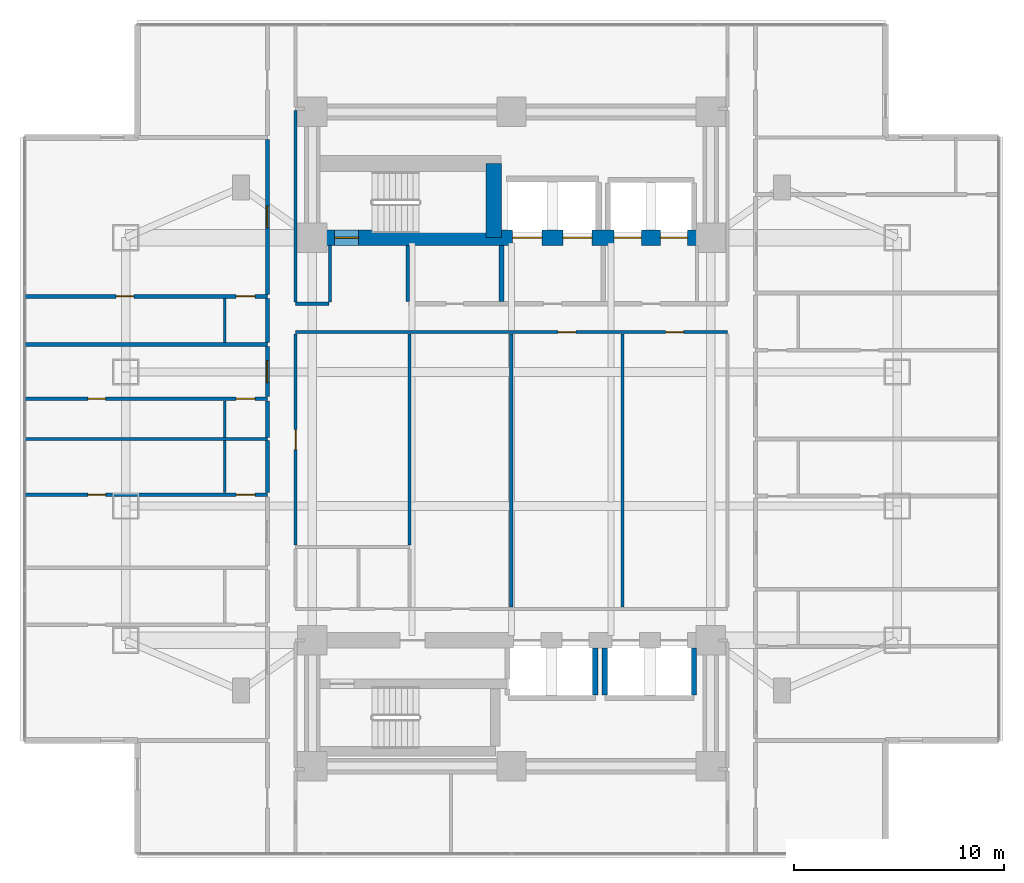
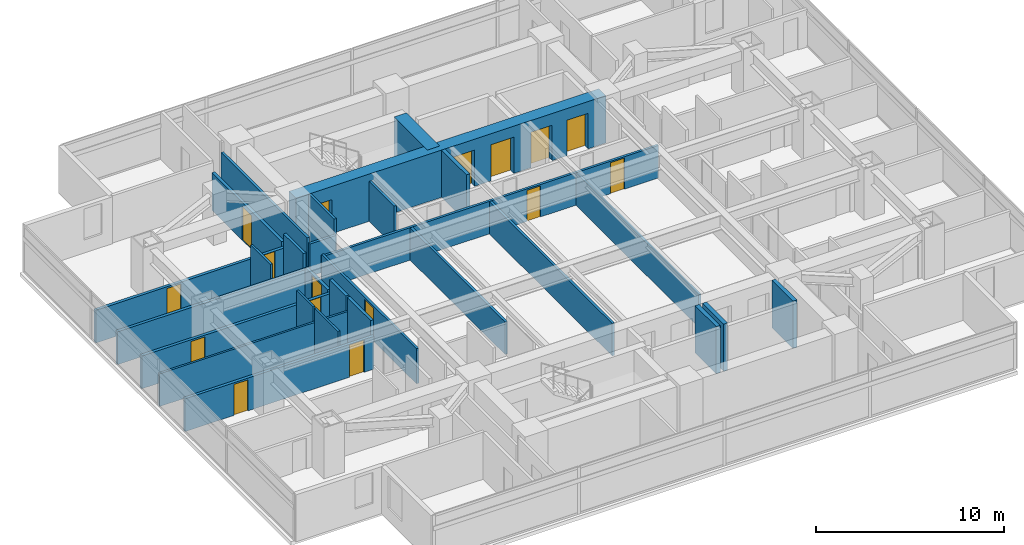
# One storey, part 15 of 26: 28 walls, 16 doors, 16 openings.
"""IFC4 building model written with IfcOpenShell, lengths in metres."""

from ifc_helpers import new_model, si_unit, direction, frame, frame_2d, origin, place, context, subcontext, project, spatial, rectangle, extrude, material, layer, layer_set, type_object, element, fill, save


model = new_model("IFC4")

# Units and contexts
model_context = context("Model", 3, precision=1e-05, world=origin(), true_north=direction((0.0, 1.0)))
body_context = subcontext(model_context, "Body", "Model", "MODEL_VIEW")
ifc_project = project(units=[si_unit("LENGTHUNIT", "METRE"), si_unit("AREAUNIT", "SQUARE_METRE"), si_unit("VOLUMEUNIT", "CUBIC_METRE"), si_unit("PLANEANGLEUNIT", "RADIAN"), si_unit("MASSUNIT", "GRAM", prefix="KILO")], contexts=[model_context])

# Site, building, storey
site_placement = place(None, origin())
site = spatial("IfcSite", under=ifc_project, at=site_placement, CompositionType="ELEMENT")
building_placement = place(site_placement, origin())
building = spatial("IfcBuilding", under=site, at=building_placement, Name="Mirazonda Arch Towers", CompositionType="ELEMENT")
storey_placement = place(building_placement, frame((0.0, 0.0, 48.800048828125)))
storey = spatial("IfcBuildingStorey", under=building, at=storey_placement, Name="L13", CompositionType="ELEMENT", Elevation=48.800048828125)

# Wall, openings, doors
ifc_material_1 = material(Name="Concrete C60/75", Category="concrete")
ifc_layer_1 = layer(ifc_material_1, 0.75, Name="WALL-CORE-750")
ifc_layer_set_1 = layer_set([ifc_layer_1], Name="Concrete C60/75")
wall_type_1 = type_object("IfcWallType", Name="WALL-CORE-750", PredefinedType="SHEAR", material=ifc_layer_set_1)
wall_1_placement = place(storey_placement, frame((11.0, 37.60009765625, 0.0), z_axis=(0.0, 0.0, 1.0), x_axis=(1.0, 0.0, 0.0)))
wall_1 = element("IfcWall", 1, at=wall_1_placement, inside=storey, type_object=wall_type_1, Name="L13 T1N-S Core Shear Wall", PredefinedType="SHEAR", context=body_context, shape_type="SweptSolid", body=[
    extrude(rectangle(XDim=19.0, YDim=0.75, at=frame_2d((9.5, 0.0))), origin(), (0.0, 0.0, 1.0), 3.06005859375),
])
opening_1_placement = place(wall_1_placement, frame((1.06005859375, 0.0, 0.0)))
opening_1 = element("IfcOpeningElement", 2, at=opening_1_placement, cuts=wall_1, Name="Opening DR-135", PredefinedType="OPENING", context=body_context, shape_type="SweptSolid", body=[
    extrude(rectangle(XDim=1.14990234375, YDim=2.199951171875, at=frame_2d((0.574951171875, 1.10009765625))), frame((0.0, 0.385009765625, 0.0), z_axis=(0.0, -1.0, 0.0), x_axis=(1.0, 0.0, 0.0)), (0.0, 0.0, 1.0), 0.77001953125),
])
opening_2_placement = place(wall_1_placement, frame((9.550048828125, 0.0, 0.0)))
opening_2 = element("IfcOpeningElement", 3, at=opening_2_placement, cuts=wall_1, Name="Opening LD-112", PredefinedType="OPENING", context=body_context, shape_type="SweptSolid", body=[
    extrude(rectangle(XDim=1.39990234375, YDim=2.35009765625, at=frame_2d((0.699951171875, 1.175048828125))), frame((0.0, 0.385009765625, 0.0), z_axis=(0.0, -1.0, 0.0), x_axis=(1.0, 0.0, 0.0)), (0.0, 0.0, 1.0), 0.77001953125),
])
opening_3_placement = place(wall_1_placement, frame((11.949951171875, 0.0, 0.0)))
opening_3 = element("IfcOpeningElement", 4, at=opening_3_placement, cuts=wall_1, Name="Opening LD-112", PredefinedType="OPENING", context=body_context, shape_type="SweptSolid", body=[
    extrude(rectangle(XDim=1.39990234375, YDim=2.35009765625, at=frame_2d((0.699951171875, 1.175048828125))), frame((0.0, 0.385009765625, 0.0), z_axis=(0.0, -1.0, 0.0), x_axis=(1.0, 0.0, 0.0)), (0.0, 0.0, 1.0), 0.77001953125),
])
opening_4_placement = place(wall_1_placement, frame((14.39990234375, 0.0, 0.0)))
opening_4 = element("IfcOpeningElement", 5, at=opening_4_placement, cuts=wall_1, Name="Opening LD-111", PredefinedType="OPENING", context=body_context, shape_type="SweptSolid", body=[
    extrude(rectangle(XDim=1.300048828125, YDim=2.300048828125, at=frame_2d((0.64990234375, 1.14990234375))), frame((0.0, 0.385009765625, 0.0), z_axis=(0.0, -1.0, 0.0), x_axis=(1.0, 0.0, 0.0)), (0.0, 0.0, 1.0), 0.77001953125),
])
opening_5_placement = place(wall_1_placement, frame((16.60009765625, 0.0, 0.0)))
opening_5 = element("IfcOpeningElement", 6, at=opening_5_placement, cuts=wall_1, Name="Opening LD-111", PredefinedType="OPENING", context=body_context, shape_type="SweptSolid", body=[
    extrude(rectangle(XDim=1.300048828125, YDim=2.300048828125, at=frame_2d((0.64990234375, 1.14990234375))), frame((0.0, 0.385009765625, 0.0), z_axis=(0.0, -1.0, 0.0), x_axis=(1.0, 0.0, 0.0)), (0.0, 0.0, 1.0), 0.77001953125),
])
ifc_material_2 = material(Name="Architectural Brushed Steel S355", Category="steel")
door_type_1 = type_object("IfcDoorType", Name="DOOR-LIFT-FFL-1400", OperationType="NOTDEFINED", PredefinedType="DOOR", material=ifc_material_2)
door_1_placement = place(opening_2_placement, origin())
door_1 = element("IfcDoor", 7, at=door_1_placement, inside=storey, type_object=door_type_1, Name="L13 Lift Landing Sliding Door FFL-T1", OperationType="DOUBLE_DOOR_SLIDING", OverallHeight=2.35009765625, OverallWidth=1.39990234375, PredefinedType="DOOR", context=body_context, shape_type="SweptSolid", body=[
    extrude(rectangle(XDim=1.39990234375, YDim=2.35009765625, at=frame_2d((0.699951171875, 1.175048828125))), frame((0.0, 0.02490234375, 0.0), z_axis=(0.0, -1.0, 0.0), x_axis=(1.0, 0.0, 0.0)), (0.0, 0.0, 1.0), 0.050048828125),
])
fill(opening_2, door_1)
door_2_placement = place(opening_3_placement, origin())
door_2 = element("IfcDoor", 8, at=door_2_placement, inside=storey, type_object=door_type_1, Name="L13 Lift Landing Sliding Door SVL-T1", OperationType="DOUBLE_DOOR_SLIDING", OverallHeight=2.35009765625, OverallWidth=1.39990234375, PredefinedType="DOOR", context=body_context, shape_type="SweptSolid", body=[
    extrude(rectangle(XDim=1.39990234375, YDim=2.35009765625, at=frame_2d((0.699951171875, 1.175048828125))), frame((0.0, 0.02490234375, 0.0), z_axis=(0.0, -1.0, 0.0), x_axis=(1.0, 0.0, 0.0)), (0.0, 0.0, 1.0), 0.050048828125),
])
fill(opening_3, door_2)
door_type_2 = type_object("IfcDoorType", Name="DOOR-LIFT-LAND-1300", OperationType="NOTDEFINED", PredefinedType="DOOR", material=ifc_material_2)
door_3_placement = place(opening_4_placement, origin())
door_3 = element("IfcDoor", 9, at=door_3_placement, inside=storey, type_object=door_type_2, Name="L13 Lift Landing Sliding Door PL-T1L1", OperationType="DOUBLE_DOOR_SLIDING", OverallHeight=2.300048828125, OverallWidth=1.300048828125, PredefinedType="DOOR", context=body_context, shape_type="SweptSolid", body=[
    extrude(rectangle(XDim=1.300048828125, YDim=2.300048828125, at=frame_2d((0.64990234375, 1.14990234375))), frame((0.0, 0.02490234375, 0.0), z_axis=(0.0, -1.0, 0.0), x_axis=(1.0, 0.0, 0.0)), (0.0, 0.0, 1.0), 0.050048828125),
])
fill(opening_4, door_3)
door_4_placement = place(opening_5_placement, origin())
door_4 = element("IfcDoor", 10, at=door_4_placement, inside=storey, type_object=door_type_2, Name="L13 Lift Landing Sliding Door PL-T1L2", OperationType="DOUBLE_DOOR_SLIDING", OverallHeight=2.300048828125, OverallWidth=1.300048828125, PredefinedType="DOOR", context=body_context, shape_type="SweptSolid", body=[
    extrude(rectangle(XDim=1.300048828125, YDim=2.300048828125, at=frame_2d((0.64990234375, 1.14990234375))), frame((0.0, 0.02490234375, 0.0), z_axis=(0.0, -1.0, 0.0), x_axis=(1.0, 0.0, 0.0)), (0.0, 0.0, 1.0), 0.050048828125),
])
fill(opening_5, door_4)
door_type_3 = type_object("IfcDoorType", Name="DOOR-STAIR-FD90-1150", OperationType="NOTDEFINED", PredefinedType="DOOR", material=ifc_material_2)
door_5_placement = place(opening_1_placement, origin())
door_5 = element("IfcDoor", 11, at=door_5_placement, inside=storey, type_object=door_type_3, Name="L13 Protected Exit Stair North Door", OperationType="SINGLE_SWING_LEFT", OverallHeight=2.199951171875, OverallWidth=1.14990234375, PredefinedType="DOOR", context=body_context, shape_type="SweptSolid", body=[
    extrude(rectangle(XDim=1.14990234375, YDim=2.199951171875, at=frame_2d((0.574951171875, 1.10009765625))), frame((0.0, 0.02490234375, 0.0), z_axis=(0.0, -1.0, 0.0), x_axis=(1.0, 0.0, 0.0)), (0.0, 0.0, 1.0), 0.050048828125),
])
fill(opening_1, door_5)

# Walls
wall_2_placement = place(storey_placement, frame((19.64990234375, 37.60009765625, 0.0), z_axis=(0.0, 0.0, 1.0), x_axis=(0.0, 1.0, 0.0)))
element("IfcWall", 12, at=wall_2_placement, inside=storey, type_object=wall_type_1, Name="L13 T1N-STE Core Shear Wall", PredefinedType="SHEAR", context=body_context, shape_type="SweptSolid", body=[
    extrude(rectangle(XDim=3.54296875, YDim=0.75, at=frame_2d((1.771484375, 0.0))), origin(), (0.0, 0.0, 1.0), 3.06005859375),
])
ifc_material_3 = material(Name="Concrete C40/50", Category="concrete")
ifc_layer_2 = layer(ifc_material_3, 0.219970703125, Name="WALL-FFL-220")
ifc_layer_set_2 = layer_set([ifc_layer_2], Name="Concrete C40/50")
wall_type_2 = type_object("IfcWallType", Name="WALL-FFL-220", PredefinedType="SOLIDWALL", material=ifc_layer_set_2)
wall_3_placement = place(storey_placement, frame((20.02490234375, 34.570068359375, 0.0), z_axis=(0.0, 0.0, 1.0), x_axis=(0.0, 1.0, 0.0)))
element("IfcWall", 13, at=wall_3_placement, inside=storey, type_object=wall_type_2, Name="L13 Interior Partition 092", PredefinedType="SOLIDWALL", context=body_context, shape_type="SweptSolid", body=[
    extrude(rectangle(XDim=2.659912109375, YDim=0.219970703125, at=frame_2d((1.330078125, 0.0))), origin(), (0.0, 0.0, 1.0), 3.06005859375),
])

# Wall, openings, doors
ifc_material_4 = material(Name="Fire-Rated Gypsum Stud Partition")
ifc_layer_3 = layer(ifc_material_4, 0.14990234375, Name="WALL-PART-CORR-150")
ifc_layer_set_3 = layer_set([ifc_layer_3], Name="Fire-Rated Gypsum Stud Partition")
wall_type_3 = type_object("IfcWallType", Name="WALL-PART-CORR-150", PredefinedType="PARTITIONING", material=ifc_layer_set_3)
wall_4_placement = place(storey_placement, frame((10.199951171875, 33.10009765625, 0.0), z_axis=(0.0, 0.0, 1.0), x_axis=(1.0, 0.0, 0.0)))
wall_4 = element("IfcWall", 14, at=wall_4_placement, inside=storey, type_object=wall_type_3, Name="L13 Interior Partition 045", PredefinedType="PARTITIONING", context=body_context, shape_type="SweptSolid", body=[
    extrude(rectangle(XDim=20.60009765625, YDim=0.14990234375, at=frame_2d((10.300048828125, 0.0))), origin(), (0.0, 0.0, 1.0), 2.10400390625),
])
opening_6_placement = place(wall_4_placement, frame((12.51904296875, 0.0, 0.0)))
opening_6 = element("IfcOpeningElement", 15, at=opening_6_placement, cuts=wall_4, Name="Opening DR-128", PredefinedType="OPENING", context=body_context, shape_type="SweptSolid", body=[
    extrude(rectangle(XDim=0.85009765625, YDim=2.010009765625, at=frame_2d((0.425048828125, 1.0048828125))), frame((0.0, 0.0849609375, 0.0), z_axis=(0.0, -1.0, 0.0), x_axis=(1.0, 0.0, 0.0)), (0.0, 0.0, 1.0), 0.169921875),
])
opening_7_placement = place(wall_4_placement, frame((17.653564453125, 0.0, 0.0)))
opening_7 = element("IfcOpeningElement", 16, at=opening_7_placement, cuts=wall_4, Name="Opening DR-128", PredefinedType="OPENING", context=body_context, shape_type="SweptSolid", body=[
    extrude(rectangle(XDim=0.85009765625, YDim=2.010009765625, at=frame_2d((0.425048828125, 1.0048828125))), frame((0.0, 0.0849609375, 0.0), z_axis=(0.0, -1.0, 0.0), x_axis=(1.0, 0.0, 0.0)), (0.0, 0.0, 1.0), 0.169921875),
])
door_type_4 = type_object("IfcDoorType", Name="DOOR-RISER-FD60-850", OperationType="NOTDEFINED", PredefinedType="DOOR", material=ifc_material_2)
door_6_placement = place(opening_6_placement, origin())
door_6 = element("IfcDoor", 17, at=door_6_placement, inside=storey, type_object=door_type_4, Name="L13 Concierge Salon Door", OperationType="SINGLE_SWING_LEFT", OverallHeight=2.010009765625, OverallWidth=0.85009765625, PredefinedType="DOOR", context=body_context, shape_type="SweptSolid", body=[
    extrude(rectangle(XDim=0.85009765625, YDim=2.010009765625, at=frame_2d((0.425048828125, 1.0048828125))), frame((0.0, 0.02490234375, 0.0), z_axis=(0.0, -1.0, 0.0), x_axis=(1.0, 0.0, 0.0)), (0.0, 0.0, 1.0), 0.050048828125),
])
fill(opening_6, door_6)
door_7_placement = place(opening_7_placement, origin())
door_7 = element("IfcDoor", 18, at=door_7_placement, inside=storey, type_object=door_type_4, Name="L13 Private Meeting Suite Door", OperationType="SINGLE_SWING_RIGHT", OverallHeight=2.010009765625, OverallWidth=0.85009765625, PredefinedType="DOOR", context=body_context, shape_type="SweptSolid", body=[
    extrude(rectangle(XDim=0.85009765625, YDim=2.010009765625, at=frame_2d((0.425048828125, 1.0048828125))), frame((0.0, 0.02490234375, 0.0), z_axis=(0.0, -1.0, 0.0), x_axis=(1.0, 0.0, 0.0)), (0.0, 0.0, 1.0), 0.050048828125),
])
fill(opening_7, door_7)

# Wall
wall_5_placement = place(storey_placement, frame((10.199951171875, 34.449951171875, 0.0), z_axis=(0.0, 0.0, 1.0), x_axis=(1.0, 0.0, 0.0)))
element("IfcWall", 19, at=wall_5_placement, inside=storey, type_object=wall_type_3, Name="L13 Interior Partition 046", PredefinedType="PARTITIONING", context=body_context, shape_type="SweptSolid", body=[
    extrude(rectangle(XDim=1.60009765625, YDim=0.14990234375, at=frame_2d((0.800048828125, 0.0))), origin(), (0.0, 0.0, 1.0), 2.10400390625),
])

# Wall, opening, door
wall_6_placement = place(storey_placement, frame((10.206787109375, 22.93505859375, 0.0), z_axis=(0.0, 0.0, 1.0), x_axis=(0.0, 1.0, 0.0)))
wall_6 = element("IfcWall", 20, at=wall_6_placement, inside=storey, type_object=wall_type_3, Name="L13 Interior Partition 082", PredefinedType="PARTITIONING", context=body_context, shape_type="SweptSolid", body=[
    extrude(rectangle(XDim=10.079833984375, YDim=0.14990234375, at=frame_2d((5.0400390625, 0.0))), origin(), (0.0, 0.0, 1.0), 2.279052734375),
])
opening_8_placement = place(wall_6_placement, frame((4.56494140625, 0.0, 0.0)))
opening_8 = element("IfcOpeningElement", 21, at=opening_8_placement, cuts=wall_6, Name="Opening DR-104", PredefinedType="OPENING", context=body_context, shape_type="SweptSolid", body=[
    extrude(rectangle(XDim=0.949951171875, YDim=2.14990234375, at=frame_2d((0.47509765625, 1.074951171875))), frame((0.0, 0.0849609375, 0.0), z_axis=(0.0, -1.0, 0.0), x_axis=(1.0, 0.0, 0.0)), (0.0, 0.0, 1.0), 0.169921875),
])
door_type_5 = type_object("IfcDoorType", Name="DOOR-ROOM-950", OperationType="NOTDEFINED", PredefinedType="DOOR", material=ifc_material_2)
door_8_placement = place(opening_8_placement, origin())
door_8 = element("IfcDoor", 22, at=door_8_placement, inside=storey, type_object=door_type_5, Name="L13 L13 West Courtyard Salon Door", OperationType="SINGLE_SWING_LEFT", OverallHeight=2.14990234375, OverallWidth=0.949951171875, PredefinedType="DOOR", context=body_context, shape_type="SweptSolid", body=[
    extrude(rectangle(XDim=0.949951171875, YDim=2.14990234375, at=frame_2d((0.47509765625, 1.074951171875))), frame((0.0, 0.02490234375, 0.0), z_axis=(0.0, -1.0, 0.0), x_axis=(1.0, 0.0, 0.0)), (0.0, 0.0, 1.0), 0.050048828125),
])
fill(opening_8, door_8)

# Walls
wall_7_placement = place(storey_placement, frame((10.199951171875, 34.534912109375, 0.0), z_axis=(0.0, 0.0, 1.0), x_axis=(0.0, 1.0, 0.0)))
element("IfcWall", 23, at=wall_7_placement, inside=storey, type_object=wall_type_3, Name="L13 Interior Partition 083", PredefinedType="PARTITIONING", context=body_context, shape_type="SweptSolid", body=[
    extrude(rectangle(XDim=9.130126953125, YDim=0.14990234375, at=frame_2d((4.56494140625, 0.0))), origin(), (0.0, 0.0, 1.0), 2.43603515625),
])
wall_8_placement = place(storey_placement, frame((11.85009765625, 34.534912109375, 0.0), z_axis=(0.0, 0.0, 1.0), x_axis=(0.0, 1.0, 0.0)))
element("IfcWall", 24, at=wall_8_placement, inside=storey, type_object=wall_type_3, Name="L13 Interior Partition 085", PredefinedType="PARTITIONING", context=body_context, shape_type="SweptSolid", body=[
    extrude(rectangle(XDim=2.695068359375, YDim=0.14990234375, at=frame_2d((1.34765625, 0.0))), origin(), (0.0, 0.0, 1.0), 3.06005859375),
])
wall_9_placement = place(storey_placement, frame((15.639892578125, 22.93505859375, 0.0), z_axis=(0.0, 0.0, 1.0), x_axis=(0.0, 1.0, 0.0)))
element("IfcWall", 25, at=wall_9_placement, inside=storey, type_object=wall_type_3, Name="L13 Interior Partition 088", PredefinedType="PARTITIONING", context=body_context, shape_type="SweptSolid", body=[
    extrude(rectangle(XDim=10.079833984375, YDim=0.14990234375, at=frame_2d((5.0400390625, 0.0))), origin(), (0.0, 0.0, 1.0), 2.10400390625),
])
wall_10_placement = place(storey_placement, frame((15.550048828125, 34.570068359375, 0.0), z_axis=(0.0, 0.0, 1.0), x_axis=(0.0, 1.0, 0.0)))
element("IfcWall", 26, at=wall_10_placement, inside=storey, type_object=wall_type_3, Name="L13 Interior Partition 089", PredefinedType="PARTITIONING", context=body_context, shape_type="SweptSolid", body=[
    extrude(rectangle(XDim=2.659912109375, YDim=0.14990234375, at=frame_2d((1.330078125, 0.0))), origin(), (0.0, 0.0, 1.0), 2.5888671875),
])
for number, where, z_axis, x_axis, name in (
    (27, (20.490966796875, 19.985107421875, 0.0), (0.0, 0.0, 1.0), (0.0, 1.0, 0.0), "L13 Interior Partition 095"),
    (28, (25.797119140625, 19.985107421875, 0.0), (0.0, 0.0, 1.0), (0.0, 1.0, 0.0), "L13 Interior Partition 101"),
):
    element("IfcWall", number, at=place(storey_placement, frame(where, z_axis=z_axis, x_axis=x_axis)), inside=storey, type_object=wall_type_3, Name=name, PredefinedType="PARTITIONING", context=body_context, shape_type="SweptSolid", body=[
        extrude(rectangle(XDim=13.02978515625, YDim=0.14990234375, at=frame_2d((6.514892578125, 0.0))), origin(), (0.0, 0.0, 1.0), 2.10400390625),
    ])

# Wall, openings, doors
ifc_material_5 = material(Name="Fire-Rated Gypsum Twin-Stud Assembly")
ifc_layer_4 = layer(ifc_material_5, 0.179931640625, Name="WALL-PART-DEMISE-180")
ifc_layer_set_4 = layer_set([ifc_layer_4], Name="Fire-Rated Gypsum Twin-Stud Assembly")
wall_type_4 = type_object("IfcWallType", Name="WALL-PART-DEMISE-180", PredefinedType="PARTITIONING", material=ifc_layer_set_4)
wall_11_placement = place(storey_placement, frame((-2.719970703125, 25.340087890625, 0.0), z_axis=(0.0, 0.0, 1.0), x_axis=(1.0, 0.0, 0.0)))
wall_11 = element("IfcWall", 29, at=wall_11_placement, inside=storey, type_object=wall_type_4, Name="L13 Interior Partition 028", PredefinedType="PARTITIONING", context=body_context, shape_type="SweptSolid", body=[
    extrude(rectangle(XDim=11.580078125, YDim=0.179931640625, at=frame_2d((5.7900390625, 0.0))), origin(), (0.0, 0.0, 1.0), 2.125),
])
opening_9_placement = place(wall_11_placement, frame((3.014892578125, 0.0, 0.0)))
opening_9 = element("IfcOpeningElement", 30, at=opening_9_placement, cuts=wall_11, Name="Opening DR-128", PredefinedType="OPENING", context=body_context, shape_type="SweptSolid", body=[
    extrude(rectangle(XDim=0.85009765625, YDim=2.010009765625, at=frame_2d((0.425048828125, 1.0048828125))), frame((0.0, 0.099853515625, 0.0), z_axis=(0.0, -1.0, 0.0), x_axis=(1.0, 0.0, 0.0)), (0.0, 0.0, 1.0), 0.199951171875),
])
opening_10_placement = place(wall_11_placement, frame((10.090087890625, 0.0, 0.0)))
opening_10 = element("IfcOpeningElement", 31, at=opening_10_placement, cuts=wall_11, Name="Opening DR-120", PredefinedType="OPENING", context=body_context, shape_type="SweptSolid", body=[
    extrude(rectangle(XDim=0.89990234375, YDim=2.10009765625, at=frame_2d((0.449951171875, 1.050048828125))), frame((0.0, 0.099853515625, 0.0), z_axis=(0.0, -1.0, 0.0), x_axis=(1.0, 0.0, 0.0)), (0.0, 0.0, 1.0), 0.199951171875),
])
door_9_placement = place(opening_9_placement, origin())
door_9 = element("IfcDoor", 32, at=door_9_placement, inside=storey, type_object=door_type_4, Name="L13 Guestroom Study 2 Door", OperationType="SINGLE_SWING_RIGHT", OverallHeight=2.010009765625, OverallWidth=0.85009765625, PredefinedType="DOOR", context=body_context, shape_type="SweptSolid", body=[
    extrude(rectangle(XDim=0.85009765625, YDim=2.010009765625, at=frame_2d((0.425048828125, 1.0048828125))), frame((0.0, 0.02490234375, 0.0), z_axis=(0.0, -1.0, 0.0), x_axis=(1.0, 0.0, 0.0)), (0.0, 0.0, 1.0), 0.050048828125),
])
fill(opening_9, door_9)
door_type_6 = type_object("IfcDoorType", Name="DOOR-WC-900", OperationType="NOTDEFINED", PredefinedType="DOOR", material=ifc_material_2)
door_10_placement = place(opening_10_placement, origin())
door_10 = element("IfcDoor", 33, at=door_10_placement, inside=storey, type_object=door_type_6, Name="L13 En-Suite Bathroom 2 Door", OperationType="SINGLE_SWING_LEFT", OverallHeight=2.10009765625, OverallWidth=0.89990234375, PredefinedType="DOOR", context=body_context, shape_type="SweptSolid", body=[
    extrude(rectangle(XDim=0.89990234375, YDim=2.10009765625, at=frame_2d((0.449951171875, 1.050048828125))), frame((0.0, 0.02490234375, 0.0), z_axis=(0.0, -1.0, 0.0), x_axis=(1.0, 0.0, 0.0)), (0.0, 0.0, 1.0), 0.050048828125),
])
fill(opening_10, door_10)

wall_12_placement = place(storey_placement, frame((-2.719970703125, 29.919921875, 0.0), z_axis=(0.0, 0.0, 1.0), x_axis=(1.0, 0.0, 0.0)))
wall_12 = element("IfcWall", 34, at=wall_12_placement, inside=storey, type_object=wall_type_4, Name="L13 Interior Partition 037", PredefinedType="PARTITIONING", context=body_context, shape_type="SweptSolid", body=[
    extrude(rectangle(XDim=11.580078125, YDim=0.179931640625, at=frame_2d((5.7900390625, 0.0))), origin(), (0.0, 0.0, 1.0), 2.125),
])
opening_11_placement = place(wall_12_placement, frame((3.014892578125, 0.0, 0.0)))
opening_11 = element("IfcOpeningElement", 35, at=opening_11_placement, cuts=wall_12, Name="Opening DR-128", PredefinedType="OPENING", context=body_context, shape_type="SweptSolid", body=[
    extrude(rectangle(XDim=0.85009765625, YDim=2.010009765625, at=frame_2d((0.425048828125, 1.0048828125))), frame((0.0, 0.099853515625, 0.0), z_axis=(0.0, -1.0, 0.0), x_axis=(1.0, 0.0, 0.0)), (0.0, 0.0, 1.0), 0.199951171875),
])
opening_12_placement = place(wall_12_placement, frame((10.090087890625, 0.0, 0.0)))
opening_12 = element("IfcOpeningElement", 36, at=opening_12_placement, cuts=wall_12, Name="Opening DR-120", PredefinedType="OPENING", context=body_context, shape_type="SweptSolid", body=[
    extrude(rectangle(XDim=0.89990234375, YDim=2.10009765625, at=frame_2d((0.449951171875, 1.050048828125))), frame((0.0, 0.099853515625, 0.0), z_axis=(0.0, -1.0, 0.0), x_axis=(1.0, 0.0, 0.0)), (0.0, 0.0, 1.0), 0.199951171875),
])
door_11_placement = place(opening_11_placement, origin())
door_11 = element("IfcDoor", 37, at=door_11_placement, inside=storey, type_object=door_type_4, Name="L13 Guestroom Study 3 Door", OperationType="SINGLE_SWING_LEFT", OverallHeight=2.010009765625, OverallWidth=0.85009765625, PredefinedType="DOOR", context=body_context, shape_type="SweptSolid", body=[
    extrude(rectangle(XDim=0.85009765625, YDim=2.010009765625, at=frame_2d((0.425048828125, 1.0048828125))), frame((0.0, 0.02490234375, 0.0), z_axis=(0.0, -1.0, 0.0), x_axis=(1.0, 0.0, 0.0)), (0.0, 0.0, 1.0), 0.050048828125),
])
fill(opening_11, door_11)
door_12_placement = place(opening_12_placement, origin())
door_12 = element("IfcDoor", 38, at=door_12_placement, inside=storey, type_object=door_type_6, Name="L13 En-Suite Bathroom 3 Door", OperationType="SINGLE_SWING_RIGHT", OverallHeight=2.10009765625, OverallWidth=0.89990234375, PredefinedType="DOOR", context=body_context, shape_type="SweptSolid", body=[
    extrude(rectangle(XDim=0.89990234375, YDim=2.10009765625, at=frame_2d((0.449951171875, 1.050048828125))), frame((0.0, 0.02490234375, 0.0), z_axis=(0.0, -1.0, 0.0), x_axis=(1.0, 0.0, 0.0)), (0.0, 0.0, 1.0), 0.050048828125),
])
fill(opening_12, door_12)

# Wall
wall_13_placement = place(storey_placement, frame((-2.719970703125, 32.5029296875, 0.0), z_axis=(0.0, 0.0, 1.0), x_axis=(1.0, 0.0, 0.0)))
element("IfcWall", 39, at=wall_13_placement, inside=storey, type_object=wall_type_4, Name="L13 Interior Partition 044", PredefinedType="PARTITIONING", context=body_context, shape_type="SweptSolid", body=[
    extrude(rectangle(XDim=11.580078125, YDim=0.179931640625, at=frame_2d((5.7900390625, 0.0))), origin(), (0.0, 0.0, 1.0), 2.125),
])

# Wall, openings, doors
wall_14_placement = place(storey_placement, frame((-2.719970703125, 34.802978515625, 0.0), z_axis=(0.0, 0.0, 1.0), x_axis=(1.0, 0.0, 0.0)))
wall_14 = element("IfcWall", 40, at=wall_14_placement, inside=storey, type_object=wall_type_4, Name="L13 Interior Partition 048", PredefinedType="PARTITIONING", context=body_context, shape_type="SweptSolid", body=[
    extrude(rectangle(XDim=11.580078125, YDim=0.179931640625, at=frame_2d((5.7900390625, 0.0))), origin(), (0.0, 0.0, 1.0), 2.125),
])
opening_13_placement = place(wall_14_placement, frame((4.364990234375, 0.0, 0.0)))
opening_13 = element("IfcOpeningElement", 41, at=opening_13_placement, cuts=wall_14, Name="Opening DR-128", PredefinedType="OPENING", context=body_context, shape_type="SweptSolid", body=[
    extrude(rectangle(XDim=0.85009765625, YDim=2.010009765625, at=frame_2d((0.425048828125, 1.0048828125))), frame((0.0, 0.099853515625, 0.0), z_axis=(0.0, -1.0, 0.0), x_axis=(1.0, 0.0, 0.0)), (0.0, 0.0, 1.0), 0.199951171875),
])
opening_14_placement = place(wall_14_placement, frame((10.090087890625, 0.0, 0.0)))
opening_14 = element("IfcOpeningElement", 42, at=opening_14_placement, cuts=wall_14, Name="Opening DR-120", PredefinedType="OPENING", context=body_context, shape_type="SweptSolid", body=[
    extrude(rectangle(XDim=0.89990234375, YDim=2.10009765625, at=frame_2d((0.449951171875, 1.050048828125))), frame((0.0, 0.099853515625, 0.0), z_axis=(0.0, -1.0, 0.0), x_axis=(1.0, 0.0, 0.0)), (0.0, 0.0, 1.0), 0.199951171875),
])
door_13_placement = place(opening_13_placement, origin())
door_13 = element("IfcDoor", 43, at=door_13_placement, inside=storey, type_object=door_type_4, Name="L13 Suite Bedroom 4 Door", OperationType="SINGLE_SWING_RIGHT", OverallHeight=2.010009765625, OverallWidth=0.85009765625, PredefinedType="DOOR", context=body_context, shape_type="SweptSolid", body=[
    extrude(rectangle(XDim=0.85009765625, YDim=2.010009765625, at=frame_2d((0.425048828125, 1.0048828125))), frame((0.0, 0.02490234375, 0.0), z_axis=(0.0, -1.0, 0.0), x_axis=(1.0, 0.0, 0.0)), (0.0, 0.0, 1.0), 0.050048828125),
])
fill(opening_13, door_13)
door_14_placement = place(opening_14_placement, origin())
door_14 = element("IfcDoor", 44, at=door_14_placement, inside=storey, type_object=door_type_6, Name="L13 Suite En-Suite Bathroom 4 Door", OperationType="SINGLE_SWING_LEFT", OverallHeight=2.10009765625, OverallWidth=0.89990234375, PredefinedType="DOOR", context=body_context, shape_type="SweptSolid", body=[
    extrude(rectangle(XDim=0.89990234375, YDim=2.10009765625, at=frame_2d((0.449951171875, 1.050048828125))), frame((0.0, 0.02490234375, 0.0), z_axis=(0.0, -1.0, 0.0), x_axis=(1.0, 0.0, 0.0)), (0.0, 0.0, 1.0), 0.050048828125),
])
fill(opening_14, door_14)

# Walls
wall_15_placement = place(storey_placement, frame((8.860107421875, 25.43994140625, 0.0), z_axis=(0.0, 0.0, 1.0), x_axis=(0.0, 1.0, 0.0)))
element("IfcWall", 45, at=wall_15_placement, inside=storey, type_object=wall_type_4, Name="L13 Interior Partition 073", PredefinedType="PARTITIONING", context=body_context, shape_type="SweptSolid", body=[
    extrude(rectangle(XDim=2.487548828125, YDim=0.179931640625, at=frame_2d((1.24365234375, 0.0))), origin(), (0.0, 0.0, 1.0), 3.06005859375),
])
wall_16_placement = place(storey_placement, frame((8.860107421875, 28.072509765625, 0.0), z_axis=(0.0, 0.0, 1.0), x_axis=(0.0, 1.0, 0.0)))
element("IfcWall", 46, at=wall_16_placement, inside=storey, type_object=wall_type_4, Name="L13 Interior Partition 074", PredefinedType="PARTITIONING", context=body_context, shape_type="SweptSolid", body=[
    extrude(rectangle(XDim=1.74755859375, YDim=0.179931640625, at=frame_2d((0.873779296875, 0.0))), origin(), (0.0, 0.0, 1.0), 3.06005859375),
])

# Wall, opening, door
wall_17_placement = place(storey_placement, frame((8.860107421875, 30.02001953125, 0.0), z_axis=(0.0, 0.0, 1.0), x_axis=(0.0, 1.0, 0.0)))
wall_17 = element("IfcWall", 47, at=wall_17_placement, inside=storey, type_object=wall_type_4, Name="L13 Interior Partition 075", PredefinedType="PARTITIONING", context=body_context, shape_type="SweptSolid", body=[
    extrude(rectangle(XDim=2.383056640625, YDim=0.179931640625, at=frame_2d((1.19140625, 0.0))), origin(), (0.0, 0.0, 1.0), 2.279052734375),
])
opening_15_placement = place(wall_17_placement, frame((0.66650390625, 0.0, 0.0)))
opening_15 = element("IfcOpeningElement", 48, at=opening_15_placement, cuts=wall_17, Name="Opening DR-121", PredefinedType="OPENING", context=body_context, shape_type="SweptSolid", body=[
    extrude(rectangle(XDim=1.050048828125, YDim=2.199951171875, at=frame_2d((0.52490234375, 1.10009765625))), frame((0.0, 0.099853515625, 0.0), z_axis=(0.0, -1.0, 0.0), x_axis=(1.0, 0.0, 0.0)), (0.0, 0.0, 1.0), 0.199951171875),
])
door_type_7 = type_object("IfcDoorType", Name="DOOR-SUITE-FD60-1050", OperationType="NOTDEFINED", PredefinedType="DOOR", material=ifc_material_2)
door_15_placement = place(opening_15_placement, origin())
door_15 = element("IfcDoor", 49, at=door_15_placement, inside=storey, type_object=door_type_7, Name="L13 King Hotel Guestroom 3 Door", OperationType="SINGLE_SWING_RIGHT", OverallHeight=2.199951171875, OverallWidth=1.050048828125, PredefinedType="DOOR", context=body_context, shape_type="SweptSolid", body=[
    extrude(rectangle(XDim=1.050048828125, YDim=2.199951171875, at=frame_2d((0.52490234375, 1.10009765625))), frame((0.0, 0.02490234375, 0.0), z_axis=(0.0, -1.0, 0.0), x_axis=(1.0, 0.0, 0.0)), (0.0, 0.0, 1.0), 0.050048828125),
])
fill(opening_15, door_15)

# Wall
wall_18_placement = place(storey_placement, frame((8.860107421875, 32.60302734375, 0.0), z_axis=(0.0, 0.0, 1.0), x_axis=(0.0, 1.0, 0.0)))
element("IfcWall", 50, at=wall_18_placement, inside=storey, type_object=wall_type_4, Name="L13 Interior Partition 076", PredefinedType="PARTITIONING", context=body_context, shape_type="SweptSolid", body=[
    extrude(rectangle(XDim=2.099853515625, YDim=0.179931640625, at=frame_2d((1.0498046875, 0.0))), origin(), (0.0, 0.0, 1.0), 3.06005859375),
])

# Wall, opening, door
wall_19_placement = place(storey_placement, frame((8.860107421875, 34.903076171875, 0.0), z_axis=(0.0, 0.0, 1.0), x_axis=(0.0, 1.0, 0.0)))
wall_19 = element("IfcWall", 51, at=wall_19_placement, inside=storey, type_object=wall_type_4, Name="L13 Interior Partition 077", PredefinedType="PARTITIONING", context=body_context, shape_type="SweptSolid", body=[
    extrude(rectangle(XDim=7.380859375, YDim=0.179931640625, at=frame_2d((3.6904296875, 0.0))), origin(), (0.0, 0.0, 1.0), 2.43603515625),
])
opening_16_placement = place(wall_19_placement, frame((3.16552734375, 0.0, 0.0)))
opening_16 = element("IfcOpeningElement", 52, at=opening_16_placement, cuts=wall_19, Name="Opening DR-121", PredefinedType="OPENING", context=body_context, shape_type="SweptSolid", body=[
    extrude(rectangle(XDim=1.050048828125, YDim=2.199951171875, at=frame_2d((0.52490234375, 1.10009765625))), frame((0.0, 0.099853515625, 0.0), z_axis=(0.0, -1.0, 0.0), x_axis=(1.0, 0.0, 0.0)), (0.0, 0.0, 1.0), 0.199951171875),
])
door_16_placement = place(opening_16_placement, origin())
door_16 = element("IfcDoor", 53, at=door_16_placement, inside=storey, type_object=door_type_7, Name="L13 Presidential Hotel Suite 4 Door", OperationType="SINGLE_SWING_LEFT", OverallHeight=2.199951171875, OverallWidth=1.050048828125, PredefinedType="DOOR", context=body_context, shape_type="SweptSolid", body=[
    extrude(rectangle(XDim=1.050048828125, YDim=2.199951171875, at=frame_2d((0.52490234375, 1.10009765625))), frame((0.0, 0.02490234375, 0.0), z_axis=(0.0, -1.0, 0.0), x_axis=(1.0, 0.0, 0.0)), (0.0, 0.0, 1.0), 0.050048828125),
])
fill(opening_16, door_16)

# Walls
ifc_material_6 = material(Name="Acoustic Fire-Rated Gypsum Partition")
ifc_layer_5 = layer(ifc_material_6, 0.125, Name="WALL-PART-UNIT-125")
ifc_layer_set_5 = layer_set([ifc_layer_5], Name="Acoustic Fire-Rated Gypsum Partition")
wall_type_5 = type_object("IfcWallType", Name="WALL-PART-UNIT-125", PredefinedType="PARTITIONING", material=ifc_layer_set_5)
wall_20_placement = place(storey_placement, frame((-2.719970703125, 28.0, 0.0), z_axis=(0.0, 0.0, 1.0), x_axis=(1.0, 0.0, 0.0)))
element("IfcWall", 54, at=wall_20_placement, inside=storey, type_object=wall_type_5, Name="L13 Interior Partition 033", PredefinedType="PARTITIONING", context=body_context, shape_type="SweptSolid", body=[
    extrude(rectangle(XDim=11.580078125, YDim=0.125, at=frame_2d((5.7900390625, 0.0))), origin(), (0.0, 0.0, 1.0), 2.125),
])
wall_21_placement = place(storey_placement, frame((6.820068359375, 25.43994140625, 0.0), z_axis=(0.0, 0.0, 1.0), x_axis=(0.0, 1.0, 0.0)))
element("IfcWall", 55, at=wall_21_placement, inside=storey, type_object=wall_type_5, Name="L13 Interior Partition 066", PredefinedType="PARTITIONING", context=body_context, shape_type="SweptSolid", body=[
    extrude(rectangle(XDim=2.487548828125, YDim=0.125, at=frame_2d((1.24365234375, 0.0))), origin(), (0.0, 0.0, 1.0), 3.06005859375),
])
wall_22_placement = place(storey_placement, frame((6.820068359375, 28.072509765625, 0.0), z_axis=(0.0, 0.0, 1.0), x_axis=(0.0, 1.0, 0.0)))
element("IfcWall", 56, at=wall_22_placement, inside=storey, type_object=wall_type_5, Name="L13 Interior Partition 067", PredefinedType="PARTITIONING", context=body_context, shape_type="SweptSolid", body=[
    extrude(rectangle(XDim=1.74755859375, YDim=0.125, at=frame_2d((0.873779296875, 0.0))), origin(), (0.0, 0.0, 1.0), 3.06005859375),
])
wall_23_placement = place(storey_placement, frame((6.820068359375, 32.60302734375, 0.0), z_axis=(0.0, 0.0, 1.0), x_axis=(0.0, 1.0, 0.0)))
element("IfcWall", 57, at=wall_23_placement, inside=storey, type_object=wall_type_5, Name="L13 Interior Partition 068", PredefinedType="PARTITIONING", context=body_context, shape_type="SweptSolid", body=[
    extrude(rectangle(XDim=2.099853515625, YDim=0.125, at=frame_2d((1.0498046875, 0.0))), origin(), (0.0, 0.0, 1.0), 3.06005859375),
])
ifc_layer_6 = layer(ifc_material_3, 0.25, Name="WALL-SHAFT-250")
ifc_layer_set_6 = layer_set([ifc_layer_6], Name="Concrete C40/50")
wall_type_6 = type_object("IfcWallType", Name="WALL-SHAFT-250", PredefinedType="SOLIDWALL", material=ifc_layer_set_6)
for number, where, z_axis, x_axis, name in (
    (58, (24.5, 15.784912109375, 0.0), (0.0, 0.0, 1.0), (0.0, 1.0, 0.0), "L13 Interior Partition 096"),
    (59, (24.949951171875, 15.784912109375, 0.0), (0.0, 0.0, 1.0), (0.0, 1.0, 0.0), "L13 Interior Partition 098"),
    (60, (29.199951171875, 15.784912109375, 0.0), (0.0, 0.0, 1.0), (0.0, 1.0, 0.0), "L13 Interior Partition 102"),
):
    element("IfcWall", number, at=place(storey_placement, frame(where, z_axis=z_axis, x_axis=x_axis)), inside=storey, type_object=wall_type_6, Name=name, PredefinedType="SOLIDWALL", context=body_context, shape_type="SweptSolid", body=[
        extrude(rectangle(XDim=2.2451171875, YDim=0.25, at=frame_2d((1.12255859375, 0.0))), origin(), (0.0, 0.0, 1.0), 3.06005859375),
    ])

save(model, "model.ifc")
